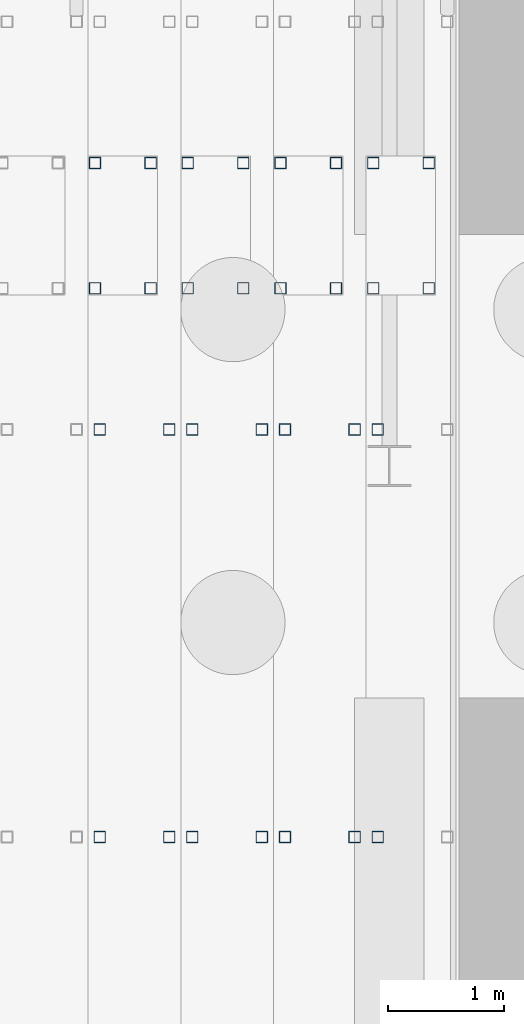
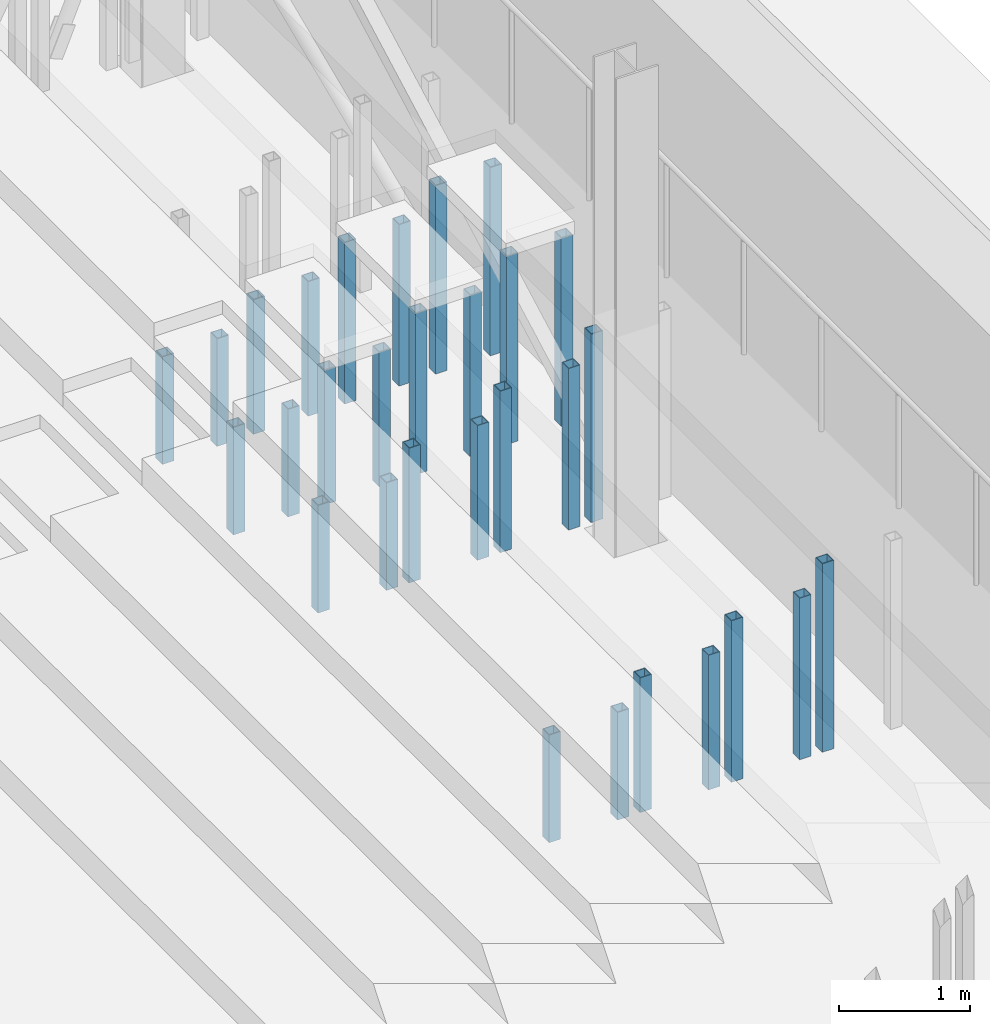
# One storey, part 52 of 139: 30 members.
"""IFC4 building model written with IfcOpenShell, lengths in metres."""

from ifc_helpers import new_model, si_unit, direction, frame, origin, origin_2d, place, context, subcontext, project, spatial, hollow_rectangle, extrude, material, material_profile, profile_set, type_object, element, save


model = new_model("IFC4")

# Units and contexts
model_context = context("Model", 3, precision=1e-05, world=origin(), true_north=direction((0.0, 1.0)))
body_context = subcontext(model_context, "Body", "Model", "MODEL_VIEW")
ifc_project = project(units=[si_unit("LENGTHUNIT", "METRE"), si_unit("AREAUNIT", "SQUARE_METRE"), si_unit("VOLUMEUNIT", "CUBIC_METRE"), si_unit("PLANEANGLEUNIT", "RADIAN"), si_unit("MASSUNIT", "GRAM", prefix="KILO")], contexts=[model_context])

# Site, building, storey
site_placement = place(None, origin())
site = spatial("IfcSite", under=ifc_project, at=site_placement, CompositionType="ELEMENT")
building_placement = place(site_placement, origin())
building = spatial("IfcBuilding", under=site, at=building_placement, Name="Verrick Yard Athletic Hall", CompositionType="ELEMENT")
storey_placement = place(building_placement, origin())
storey = spatial("IfcBuildingStorey", under=building, at=storey_placement, Name="L00", CompositionType="ELEMENT", Elevation=0.0)

# Members
ifc_material = material(Name="Structural steel HSS Class C 350W (CSA G40.20/G40.21)", Category="steel")
ifc_material_profile = material_profile(ifc_material, hollow_rectangle(XDim=0.1015625, YDim=0.1015625, WallThickness=0.00634765625, at=origin_2d()), Name="HSS102x102x6.4")
ifc_profile_set = profile_set([ifc_material_profile], Name="Structural steel HSS Class C 350W (CSA G40.20/G40.21)")
member_type = type_object("IfcMemberType", Name="HB seating post HSS102x102x6.4", PredefinedType="POST", material=ifc_profile_set)
for number, where, z_axis, x_axis, name in (
    (1, (167.06005859375, 87.9345703125, 0.0), (0.0, 0.0, 1.0), (0.0, 1.0, 0.0), "HB-SP-RSA2-A2S5a"),
    (2, (167.06005859375, 89.0146484375, 0.0), (0.0, 0.0, 1.0), (0.0, 1.0, 0.0), "HB-SP-RSA2-A2S5b"),
    (3, (167.5400390625, 87.9345703125, 0.0), (0.0, 0.0, 1.0), (0.0, 1.0, 0.0), "HB-SP-RSA2-A2S5c"),
    (4, (167.5400390625, 89.0146484375, 0.0), (0.0, 0.0, 1.0), (0.0, 1.0, 0.0), "HB-SP-RSA2-A2S5d"),
    (5, (167.10009765625, 83.199951171875, 0.0), (0.0, 0.0, 1.0), (0.0, 1.0, 0.0), "HB-SP-RSA2-T5f4"),
    (6, (167.10009765625, 86.71630859375, 0.0), (0.0, 0.0, 1.0), (0.0, 1.0, 0.0), "HB-SP-RSA2-T5f5"),
    (7, (167.699951171875, 83.199951171875, 0.0), (0.0, 0.0, 1.0), (0.0, 1.0, 0.0), "HB-SP-RSA2-T5b4"),
    (8, (167.699951171875, 86.71630859375, 0.0), (0.0, 0.0, 1.0), (0.0, 1.0, 0.0), "HB-SP-RSA2-T5b5"),
):
    element("IfcMember", number, at=place(storey_placement, frame(where, z_axis=z_axis, x_axis=x_axis)), inside=storey, type_object=member_type, Name=name, PredefinedType="POST", context=body_context, shape_type="SweptSolid", body=[
        extrude(hollow_rectangle(XDim=0.1015625, YDim=0.1015625, WallThickness=0.00634765625, at=origin_2d()), origin(), (0.0, 0.0, 1.0), 1.0),
    ])
for number, where, z_axis, x_axis, name in (
    (9, (167.860107421875, 87.9345703125, 0.0), (0.0, 0.0, 1.0), (0.0, 1.0, 0.0), "HB-SP-RSA2-A2S6a"),
    (10, (167.860107421875, 89.0146484375, 0.0), (0.0, 0.0, 1.0), (0.0, 1.0, 0.0), "HB-SP-RSA2-A2S6b"),
    (11, (168.340087890625, 87.9345703125, 0.0), (0.0, 0.0, 1.0), (0.0, 1.0, 0.0), "HB-SP-RSA2-A2S6c"),
    (12, (168.340087890625, 89.0146484375, 0.0), (0.0, 0.0, 1.0), (0.0, 1.0, 0.0), "HB-SP-RSA2-A2S6d"),
    (13, (167.89990234375, 83.199951171875, 0.0), (0.0, 0.0, 1.0), (0.0, 1.0, 0.0), "HB-SP-RSA2-T6f4"),
    (14, (167.89990234375, 86.71630859375, 0.0), (0.0, 0.0, 1.0), (0.0, 1.0, 0.0), "HB-SP-RSA2-T6f5"),
    (15, (168.5, 83.199951171875, 0.0), (0.0, 0.0, 1.0), (0.0, 1.0, 0.0), "HB-SP-RSA2-T6b4"),
    (16, (168.5, 86.71630859375, 0.0), (0.0, 0.0, 1.0), (0.0, 1.0, 0.0), "HB-SP-RSA2-T6b5"),
):
    element("IfcMember", number, at=place(storey_placement, frame(where, z_axis=z_axis, x_axis=x_axis)), inside=storey, type_object=member_type, Name=name, PredefinedType="POST", context=body_context, shape_type="SweptSolid", body=[
        extrude(hollow_rectangle(XDim=0.1015625, YDim=0.1015625, WallThickness=0.00634765625, at=origin_2d()), origin(), (0.0, 0.0, 1.0), 1.25),
    ])
for number, where, z_axis, x_axis, name in (
    (17, (168.659912109375, 87.9345703125, 0.0), (0.0, 0.0, 1.0), (0.0, 1.0, 0.0), "HB-SP-RSA2-A2S7a"),
    (18, (168.659912109375, 89.0146484375, 0.0), (0.0, 0.0, 1.0), (0.0, 1.0, 0.0), "HB-SP-RSA2-A2S7b"),
    (19, (169.139892578125, 87.9345703125, 0.0), (0.0, 0.0, 1.0), (0.0, 1.0, 0.0), "HB-SP-RSA2-A2S7c"),
    (20, (169.139892578125, 89.0146484375, 0.0), (0.0, 0.0, 1.0), (0.0, 1.0, 0.0), "HB-SP-RSA2-A2S7d"),
    (21, (168.699951171875, 83.199951171875, 0.0), (0.0, 0.0, 1.0), (0.0, 1.0, 0.0), "HB-SP-RSA2-T7f4"),
    (22, (168.699951171875, 86.71630859375, 0.0), (0.0, 0.0, 1.0), (0.0, 1.0, 0.0), "HB-SP-RSA2-T7f5"),
    (23, (169.300048828125, 83.199951171875, 0.0), (0.0, 0.0, 1.0), (0.0, 1.0, 0.0), "HB-SP-RSA2-T7b4"),
    (24, (169.300048828125, 86.71630859375, 0.0), (0.0, 0.0, 1.0), (0.0, 1.0, 0.0), "HB-SP-RSA2-T7b5"),
):
    element("IfcMember", number, at=place(storey_placement, frame(where, z_axis=z_axis, x_axis=x_axis)), inside=storey, type_object=member_type, Name=name, PredefinedType="POST", context=body_context, shape_type="SweptSolid", body=[
        extrude(hollow_rectangle(XDim=0.1015625, YDim=0.1015625, WallThickness=0.00634765625, at=origin_2d()), origin(), (0.0, 0.0, 1.0), 1.5),
    ])
for number, where, z_axis, x_axis, name in (
    (25, (169.4599609375, 87.9345703125, 0.0), (0.0, 0.0, 1.0), (0.0, 1.0, 0.0), "HB-SP-RSA2-A2S8a"),
    (26, (169.4599609375, 89.0146484375, 0.0), (0.0, 0.0, 1.0), (0.0, 1.0, 0.0), "HB-SP-RSA2-A2S8b"),
    (27, (169.93994140625, 87.9345703125, 0.0), (0.0, 0.0, 1.0), (0.0, 1.0, 0.0), "HB-SP-RSA2-A2S8c"),
    (28, (169.93994140625, 89.0146484375, 0.0), (0.0, 0.0, 1.0), (0.0, 1.0, 0.0), "HB-SP-RSA2-A2S8d"),
    (29, (169.5, 83.199951171875, 0.0), (0.0, 0.0, 1.0), (0.0, 1.0, 0.0), "HB-SP-RSA2-T8f4"),
    (30, (169.5, 86.71630859375, 0.0), (0.0, 0.0, 1.0), (0.0, 1.0, 0.0), "HB-SP-RSA2-T8f5"),
):
    element("IfcMember", number, at=place(storey_placement, frame(where, z_axis=z_axis, x_axis=x_axis)), inside=storey, type_object=member_type, Name=name, PredefinedType="POST", context=body_context, shape_type="SweptSolid", body=[
        extrude(hollow_rectangle(XDim=0.1015625, YDim=0.1015625, WallThickness=0.00634765625, at=origin_2d()), origin(), (0.0, 0.0, 1.0), 1.75),
    ])

save(model, "model.ifc")
